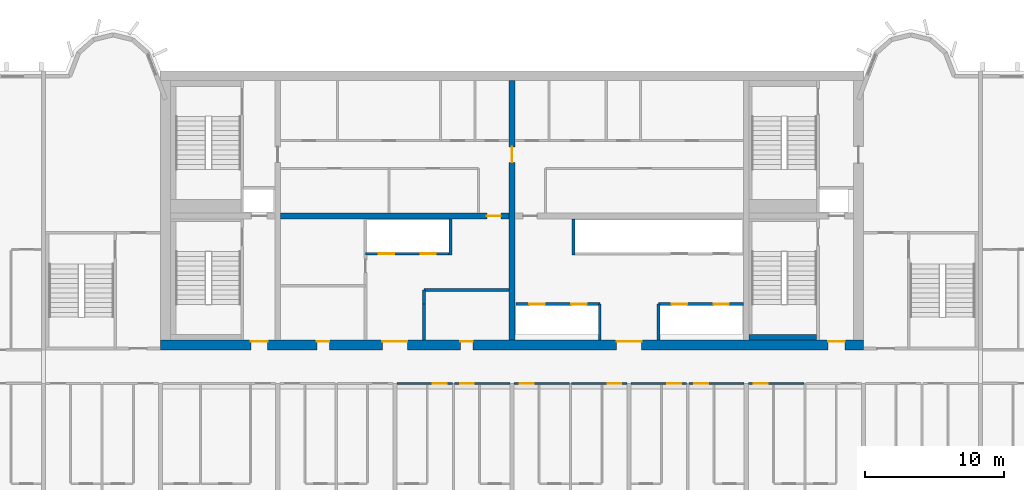
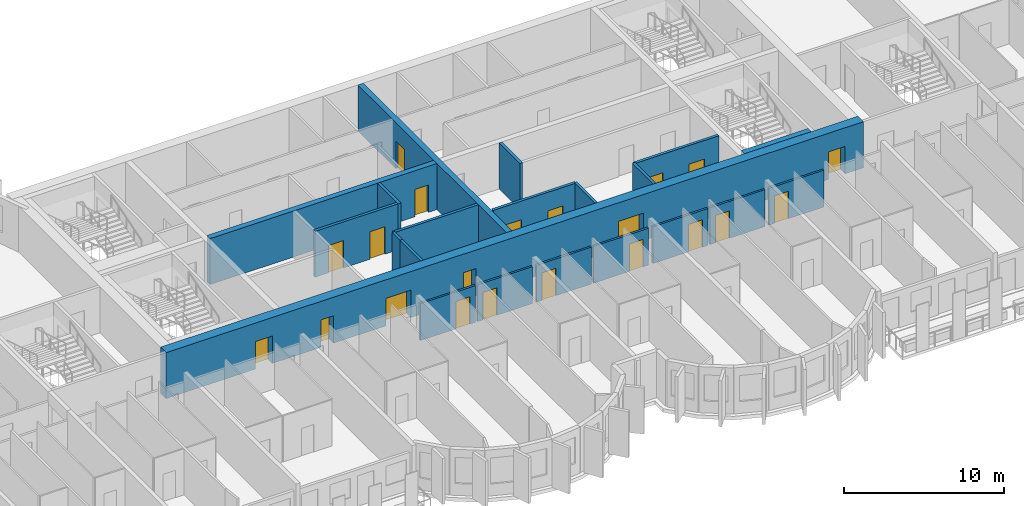
# One storey, part 6 of 13: 21 doors, 21 walls, 21 openings.
"""IFC4 building model written with IfcOpenShell, lengths in metres."""

import ifcopenshell
import ifcopenshell.guid

model = None  # the IFC model being written
_history = None  # IfcOwnerHistory: only IFC2X3 demands one
_inside = {}  # id of a spatial element -> (the spatial element, [elements in it])
_under = {}  # id of a project, library or spatial element -> (it, [spatial elements below it])
_declared = {}  # id of a project -> (the project, [libraries it declares])
_typed = {}  # id of a type object -> (the type object, [elements of that type])
_made_of = {}  # id of a material, layer set ... -> (it, [elements and type objects made of it])


def new_model(schema):
    """Start an empty IFC model of exactly this schema.

    Asked for "IFC4X3", IfcOpenShell would pick the latest addendum, in which some entities
    have other attributes; the version numbers below select the first issue.
    IFC2X3 requires an IfcOwnerHistory on every rooted entity: one is made here for all.
    """
    global model, _history
    if schema == "IFC4X3":
        model = ifcopenshell.file(schema_version=(4, 3, 0, 0))
    else:
        model = ifcopenshell.file(schema=schema)
    _inside.clear()
    _under.clear()
    _declared.clear()
    _typed.clear()
    _made_of.clear()
    _history = None
    if model.schema == "IFC2X3":
        org = make("IfcOrganization", Name="unknown")
        user = make(
            "IfcPersonAndOrganization",
            ThePerson=make("IfcPerson", FamilyName="unknown"),
            TheOrganization=org,
        )
        app = make(
            "IfcApplication",
            ApplicationDeveloper=org,
            Version="unknown",
            ApplicationFullName="unknown",
            ApplicationIdentifier="unknown",
        )
        _history = make(
            "IfcOwnerHistory",
            OwningUser=user,
            OwningApplication=app,
            ChangeAction="ADDED",
            CreationDate=0,
        )
    return model


def make(cls, **values):
    """One entity of the class cls with the attributes given. An attribute that is None is left unset."""
    return model.create_entity(
        cls, **{name: value for name, value in values.items() if value is not None}
    )


def rooted(cls, **values):
    """An entity with a GlobalId (a new one), such as an element, a storey or a relation."""
    return make(cls, GlobalId=ifcopenshell.guid.new(), OwnerHistory=_history, **values)


def si_unit(unit_type, name, prefix=None):
    """IfcSIUnit, for example si_unit("LENGTHUNIT", "METRE", prefix="MILLI")."""
    return make("IfcSIUnit", UnitType=unit_type, Prefix=prefix, Name=name)


def assignment(units):
    """IfcUnitAssignment: the units of a project."""
    return None if units is None else make("IfcUnitAssignment", Units=units)


def point(xyz):
    """IfcCartesianPoint."""
    return None if xyz is None else make("IfcCartesianPoint", Coordinates=xyz)


def direction(xyz):
    """IfcDirection."""
    return None if xyz is None else make("IfcDirection", DirectionRatios=xyz)


def frame(location, z_axis=None, x_axis=None):
    """IfcAxis2Placement3D, a coordinate frame: its origin and axes. An axis left out is left unset."""
    return make(
        "IfcAxis2Placement3D",
        Location=point(location),
        Axis=direction(z_axis),
        RefDirection=direction(x_axis),
    )


def frame_2d(location, x_axis=None):
    """IfcAxis2Placement2D, a coordinate frame in the plane: its origin and x axis."""
    return make(
        "IfcAxis2Placement2D", Location=point(location), RefDirection=direction(x_axis)
    )


def origin():
    """The frame at (0, 0, 0) with its axes left unset."""
    return frame((0.0, 0.0, 0.0))


def place(relative_to, where):
    """IfcLocalPlacement: puts the frame where relative to a parent placement (None: the world)."""
    return make(
        "IfcLocalPlacement", PlacementRelTo=relative_to, RelativePlacement=where
    )


def context(
    kind, dimensions, precision=None, world=None, true_north=None, identifier=None
):
    """IfcGeometricRepresentationContext, for example the 3D "Model" context."""
    return make(
        "IfcGeometricRepresentationContext",
        ContextIdentifier=identifier,
        ContextType=kind,
        CoordinateSpaceDimension=dimensions,
        Precision=precision,
        WorldCoordinateSystem=world,
        TrueNorth=true_north,
    )


def subcontext(parent, identifier, kind, view, scale=None):
    """IfcGeometricRepresentationSubContext, for example "Body" below "Model"."""
    return make(
        "IfcGeometricRepresentationSubContext",
        ContextIdentifier=identifier,
        ContextType=kind,
        ParentContext=parent,
        TargetScale=scale,
        TargetView=view,
    )


def project(units=None, contexts=None):
    """IfcProject with its units and contexts."""
    return rooted(
        "IfcProject",
        Name="project",
        RepresentationContexts=contexts,
        UnitsInContext=assignment(units),
    )


def spatial(cls, under=None, at=None, **own):
    """A site, building, storey or space (cls), placed at a placement, below another one or the project."""
    s = rooted(cls, ObjectPlacement=at, **own)
    if under is not None:
        _under.setdefault(under.id(), (under, []))[1].append(s)
    return s


def profile(cls, at=None, kind="AREA", **sizes):
    """A parametric profile (cls). Its sizes go by their IFC names, for example OverallWidth=200.0."""
    return make(cls, ProfileType=kind, Position=at, **sizes)


def rectangle(**sizes):
    """IfcRectangleProfileDef."""
    return profile("IfcRectangleProfileDef", **sizes)


def extrude(swept, where, along, depth):
    """IfcExtrudedAreaSolid: the profile swept, set in the frame where, extruded along a direction by depth."""
    return make(
        "IfcExtrudedAreaSolid",
        SweptArea=swept,
        Position=where,
        ExtrudedDirection=direction(along),
        Depth=depth,
    )


def shape(context_of_items, identifier, shape_type, items):
    """IfcShapeRepresentation: the items that make up one representation, for example the "Body"."""
    return make(
        "IfcShapeRepresentation",
        ContextOfItems=context_of_items,
        RepresentationIdentifier=identifier,
        RepresentationType=shape_type,
        Items=items,
    )


def source(mapping_origin, context_of_items, identifier, shape_type, items):
    """IfcRepresentationMap: a shape defined once, which mapped items show again and again."""
    return make(
        "IfcRepresentationMap",
        MappingOrigin=mapping_origin,
        MappedRepresentation=shape(context_of_items, identifier, shape_type, items),
    )


def transform(
    local_origin,
    x_axis=None,
    y_axis=None,
    z_axis=None,
    scale=None,
    scale2=None,
    scale3=None,
    uniform=True,
):
    """IfcCartesianTransformationOperator3D, or its non-uniform kind. x_axis, y_axis, z_axis: its Axis1, 2, 3."""
    if uniform:
        return make(
            "IfcCartesianTransformationOperator3D",
            Axis1=direction(x_axis),
            Axis2=direction(y_axis),
            LocalOrigin=point(local_origin),
            Scale=scale,
            Axis3=direction(z_axis),
        )
    return make(
        "IfcCartesianTransformationOperator3DnonUniform",
        Axis1=direction(x_axis),
        Axis2=direction(y_axis),
        LocalOrigin=point(local_origin),
        Scale=scale,
        Axis3=direction(z_axis),
        Scale2=scale2,
        Scale3=scale3,
    )


def mapped(mapping_source, mapping_target):
    """IfcMappedItem: shows the shape of a source again, moved by a transform."""
    return make(
        "IfcMappedItem", MappingSource=mapping_source, MappingTarget=mapping_target
    )


def material(Name=None, Category=None):
    """IfcMaterial."""
    return make("IfcMaterial", Name=Name, Category=Category)


def layer(
    of_material, thickness, ventilated=None, Name=None, Category=None, Priority=None
):
    """IfcMaterialLayer: one layer of a wall or slab, of a material (None: an air gap)."""
    return make(
        "IfcMaterialLayer",
        Material=of_material,
        LayerThickness=thickness,
        IsVentilated=ventilated,
        Name=Name,
        Category=Category,
        Priority=Priority,
    )


def layer_set(layers, Name=None):
    """IfcMaterialLayerSet."""
    return make("IfcMaterialLayerSet", MaterialLayers=layers, LayerSetName=Name)


def made_of(thing, what):
    """Note that an element or type object is made of a material, layer set ...; save() writes the relation."""
    if what is not None:
        _made_of.setdefault(what.id(), (what, []))[1].append(thing)
    return thing


def type_object(cls, material=None, **own):
    """A type object (cls), such as IfcWallType, which elements share."""
    return made_of(rooted(cls, **own), material)


def element(
    cls,
    number,
    at=None,
    inside=None,
    cuts=None,
    type_object=None,
    material=None,
    context=None,
    identifier="Body",
    shape_type=None,
    held_by="IfcProductDefinitionShape",
    body=None,
    shapes=None,
    **own,
):
    """One element of the class cls, such as IfcWall. Its Tag is "e" and its number.

    at: its placement. inside: the storey or other place that contains it. cuts: it is an
    opening in that element (IfcRelVoidsElement). A single representation is given by context,
    identifier, shape_type and body (its items); several are given by shapes. held_by: the class
    of the entity that holds the representations. save() writes the other relations.
    """
    e = rooted(cls, Tag="e%d" % number, ObjectPlacement=at, **own)
    if body is not None:
        shapes = [shape(context, identifier, shape_type, body)]
    if shapes is not None:
        e.Representation = make(held_by, Representations=shapes)
    if inside is not None:
        _inside.setdefault(inside.id(), (inside, []))[1].append(e)
    if cuts is not None:
        rooted(
            "IfcRelVoidsElement", RelatingBuildingElement=cuts, RelatedOpeningElement=e
        )
    if type_object is not None:
        _typed.setdefault(type_object.id(), (type_object, []))[1].append(e)
    return made_of(e, material)


def fill(opening, filler):
    """IfcRelFillsElement: the door or window that sits in an opening."""
    return rooted(
        "IfcRelFillsElement",
        RelatingOpeningElement=opening,
        RelatedBuildingElement=filler,
    )


def aggregate(whole, parts):
    """IfcRelAggregates: a whole, such as a stair, and the parts it consists of."""
    return rooted("IfcRelAggregates", RelatingObject=whole, RelatedObjects=parts)


def save(model, path):
    """Write the relations noted so far, then the file.

    IfcRelAggregates (storeys below a building ...), IfcRelContainedInSpatialStructure (elements
    in a storey), IfcRelDefinesByType, IfcRelAssociatesMaterial and IfcRelDeclares: one each for
    every whole, place, type object, material and project.
    """
    for whole, parts in _under.values():
        aggregate(whole, parts)
    for where, things in _inside.values():
        rooted(
            "IfcRelContainedInSpatialStructure",
            RelatedElements=things,
            RelatingStructure=where,
        )
    for kind, things in _typed.values():
        rooted("IfcRelDefinesByType", RelatedObjects=things, RelatingType=kind)
    for what, things in _made_of.values():
        rooted("IfcRelAssociatesMaterial", RelatedObjects=things, RelatingMaterial=what)
    for by, libraries in _declared.values():
        rooted("IfcRelDeclares", RelatingContext=by, RelatedDefinitions=libraries)
    model.write(path)


model = new_model("IFC4")

# Units and contexts
model_context = context("Model", 3, precision=1e-05, world=origin(), true_north=direction((0.0, 1.0)))
body_context = subcontext(model_context, "Body", "Model", "MODEL_VIEW")
ifc_project = project(units=[si_unit("LENGTHUNIT", "METRE"), si_unit("AREAUNIT", "SQUARE_METRE"), si_unit("VOLUMEUNIT", "CUBIC_METRE"), si_unit("PLANEANGLEUNIT", "RADIAN"), si_unit("MASSUNIT", "GRAM", prefix="KILO")], contexts=[model_context])

# Site, building, storey
site_placement = place(None, origin())
site = spatial("IfcSite", under=ifc_project, at=site_placement, CompositionType="ELEMENT")
building_placement = place(site_placement, origin())
building = spatial("IfcBuilding", under=site, at=building_placement, Name="Vanashikhar Sky Hotel", CompositionType="ELEMENT")
storey_placement = place(building_placement, frame((0.0, 0.0, 182.0)))
storey = spatial("IfcBuildingStorey", under=building, at=storey_placement, Name="L44", CompositionType="ELEMENT", Elevation=182.0)

# Wall, opening, door
ifc_material_1 = material(Name="Concrete M60", Category="concrete")
ifc_layer_1 = layer(ifc_material_1, 0.39990234375)
ifc_layer_set_1 = layer_set([ifc_layer_1], Name="RC core inner wall 400 Concrete M60")
wall_type_1 = type_object("IfcWallType", Name="RC core inner wall 400 Concrete M60", PredefinedType="SHEAR", material=ifc_layer_set_1)
shared_shape_1 = source(origin(), body_context, "Body", "SweptSolid", [
    extrude(rectangle(XDim=18.60009765625, YDim=0.39990234375, at=frame_2d((9.300048828125, 0.0))), origin(), (0.0, 0.0, 1.0), 3.52001953125),
])
wall_1_placement = place(storey_placement, frame((50.39990234375, 22.699951171875, 0.0), z_axis=(0.0, 0.0, 1.0), x_axis=(0.0, 1.0, 0.0)))
wall_1 = element("IfcWall", 1, at=wall_1_placement, inside=storey, type_object=wall_type_1, Name="KW-L44-KX2", PredefinedType="SHEAR", context=body_context, shape_type="MappedRepresentation", body=[
    mapped(shared_shape_1, transform((0.0, 0.0, 0.0), scale=1.0)),
])
shared_shape_2 = source(origin(), body_context, "Body", "SweptSolid", [
    extrude(rectangle(XDim=1.10009765625, YDim=2.10009765625, at=frame_2d((0.550048828125, 1.050048828125))), frame((0.0, 0.2099609375, 0.0), z_axis=(0.0, -1.0, 0.0), x_axis=(1.0, 0.0, 0.0)), (0.0, 0.0, 1.0), 0.419921875),
])
opening_1_placement = place(wall_1_placement, frame((12.75, 0.0, 0.0)))
opening_1 = element("IfcOpeningElement", 2, at=opening_1_placement, cuts=wall_1, Name="Opening DC-4-C", PredefinedType="OPENING", context=body_context, shape_type="MappedRepresentation", body=[
    mapped(shared_shape_2, transform((0.0, 0.0, 0.0), scale=1.0)),
])
ifc_material_2 = material(Name="Steel", Category="steel")
door_type_1 = type_object("IfcDoorType", Name="Service door 1100 FD60", OperationType="NOTDEFINED", PredefinedType="DOOR", material=ifc_material_2)
shared_shape_3 = source(origin(), body_context, "Body", "SweptSolid", [
    extrude(rectangle(XDim=1.10009765625, YDim=2.10009765625, at=frame_2d((0.550048828125, 1.050048828125))), frame((0.0, 0.02490234375, 0.0), z_axis=(0.0, -1.0, 0.0), x_axis=(1.0, 0.0, 0.0)), (0.0, 0.0, 1.0), 0.050048828125),
])
door_1_placement = place(opening_1_placement, origin())
door_1 = element("IfcDoor", 3, at=door_1_placement, inside=storey, type_object=door_type_1, Name="Service door 1100 FD60", OperationType="SINGLE_SWING_LEFT", OverallHeight=2.10009765625, OverallWidth=1.10009765625, PredefinedType="DOOR", context=body_context, shape_type="MappedRepresentation", body=[
    mapped(shared_shape_3, transform((0.0, 0.0, 0.0), scale=1.0)),
])
fill(opening_1, door_1)

# Wall, openings, doors
ifc_layer_2 = layer(ifc_material_1, 0.699951171875)
ifc_layer_set_2 = layer_set([ifc_layer_2], Name="RC core shell wall 700 Concrete M60")
wall_type_2 = type_object("IfcWallType", Name="RC core shell wall 700 Concrete M60", PredefinedType="SHEAR", material=ifc_layer_set_2)
shared_shape_4 = source(origin(), body_context, "Body", "SweptSolid", [
    extrude(rectangle(XDim=50.400146484375, YDim=0.699951171875, at=frame_2d((25.2001953125, 0.0))), origin(), (0.0, 0.0, 1.0), 3.52001953125),
])
wall_2_placement = place(storey_placement, frame((25.199951171875, 22.35009765625, 0.0), z_axis=(0.0, 0.0, 1.0), x_axis=(1.0, 0.0, 0.0)))
wall_2 = element("IfcWall", 4, at=wall_2_placement, inside=storey, type_object=wall_type_2, Name="KW-L44-KS", PredefinedType="SHEAR", context=body_context, shape_type="MappedRepresentation", body=[
    mapped(shared_shape_4, transform((0.0, 0.0, 0.0), scale=1.0)),
])
shared_shape_5 = source(origin(), body_context, "Body", "SweptSolid", [
    extrude(rectangle(XDim=1.800048828125, YDim=2.10009765625, at=frame_2d((0.89990234375, 1.050048828125))), frame((0.0, 0.35986328125, 0.0), z_axis=(0.0, -1.0, 0.0), x_axis=(1.0, 0.0, 0.0)), (0.0, 0.0, 1.0), 0.719970703125),
])
opening_2_placement = place(wall_2_placement, frame((15.89990234375, 0.0, 0.0)))
opening_2 = element("IfcOpeningElement", 5, at=opening_2_placement, cuts=wall_2, Name="Opening DC-3-A", PredefinedType="OPENING", context=body_context, shape_type="MappedRepresentation", body=[
    mapped(shared_shape_5, transform((0.0, 0.0, 0.0), scale=1.0)),
])
shared_shape_6 = source(origin(), body_context, "Body", "SweptSolid", [
    extrude(rectangle(XDim=0.89990234375, YDim=2.10009765625, at=frame_2d((0.449951171875, 1.050048828125))), frame((0.0, 0.35986328125, 0.0), z_axis=(0.0, -1.0, 0.0), x_axis=(1.0, 0.0, 0.0)), (0.0, 0.0, 1.0), 0.719970703125),
])
opening_3_placement = place(wall_2_placement, frame((11.199951171875, 0.0, 0.0)))
opening_3 = element("IfcOpeningElement", 6, at=opening_3_placement, cuts=wall_2, Name="Opening DC-4-A", PredefinedType="OPENING", context=body_context, shape_type="MappedRepresentation", body=[
    mapped(shared_shape_6, transform((0.0, 0.0, 0.0), scale=1.0)),
])
opening_4_placement = place(wall_2_placement, frame((21.5, 0.0, 0.0)))
opening_4 = element("IfcOpeningElement", 7, at=opening_4_placement, cuts=wall_2, Name="Opening DC-4-A", PredefinedType="OPENING", context=body_context, shape_type="MappedRepresentation", body=[
    mapped(shared_shape_6, transform((0.0, 0.0, 0.0), scale=1.0)),
])
opening_5_placement = place(wall_2_placement, frame((32.699951171875, 0.0, 0.0)))
opening_5 = element("IfcOpeningElement", 8, at=opening_5_placement, cuts=wall_2, Name="Opening DC-3-A", PredefinedType="OPENING", context=body_context, shape_type="MappedRepresentation", body=[
    mapped(shared_shape_5, transform((0.0, 0.0, 0.0), scale=1.0)),
])
shared_shape_7 = source(origin(), body_context, "Body", "SweptSolid", [
    extrude(rectangle(XDim=1.199951171875, YDim=2.10009765625, at=frame_2d((0.60009765625, 1.050048828125))), frame((0.0, 0.35986328125, 0.0), z_axis=(0.0, -1.0, 0.0), x_axis=(1.0, 0.0, 0.0)), (0.0, 0.0, 1.0), 0.719970703125),
])
opening_6_placement = place(wall_2_placement, frame((6.47509765625, 0.0, 0.0)))
opening_6 = element("IfcOpeningElement", 9, at=opening_6_placement, cuts=wall_2, Name="Opening DC-2", PredefinedType="OPENING", context=body_context, shape_type="MappedRepresentation", body=[
    mapped(shared_shape_7, transform((0.0, 0.0, 0.0), scale=1.0)),
])
opening_7_placement = place(wall_2_placement, frame((47.875, 0.0, 0.0)))
opening_7 = element("IfcOpeningElement", 10, at=opening_7_placement, cuts=wall_2, Name="Opening DC-2", PredefinedType="OPENING", context=body_context, shape_type="MappedRepresentation", body=[
    mapped(shared_shape_7, transform((0.0, 0.0, 0.0), scale=1.0)),
])
ifc_material_3 = material(Name="Glass", Category="glass")
door_type_2 = type_object("IfcDoorType", Name="Lift lobby entrance door 1800 FD30S", OperationType="NOTDEFINED", PredefinedType="DOOR", material=ifc_material_3)
shared_shape_8 = source(origin(), body_context, "Body", "SweptSolid", [
    extrude(rectangle(XDim=1.800048828125, YDim=2.10009765625, at=frame_2d((0.89990234375, 1.050048828125))), frame((0.0, 0.27490234375, 0.0), z_axis=(0.0, -1.0, 0.0), x_axis=(1.0, 0.0, 0.0)), (0.0, 0.0, 1.0), 0.050048828125),
])
door_2_placement = place(opening_2_placement, origin())
door_2 = element("IfcDoor", 11, at=door_2_placement, inside=storey, type_object=door_type_2, Name="Lift lobby entrance door 1800 FD30S", OperationType="DOUBLE_DOOR_SINGLE_SWING", OverallHeight=2.10009765625, OverallWidth=1.800048828125, PredefinedType="DOOR", context=body_context, shape_type="MappedRepresentation", body=[
    mapped(shared_shape_8, transform((0.0, 0.0, 0.0), scale=1.0)),
])
fill(opening_2, door_2)
door_3_placement = place(opening_5_placement, origin())
door_3 = element("IfcDoor", 12, at=door_3_placement, inside=storey, type_object=door_type_2, Name="Lift lobby entrance door 1800 FD30S", OperationType="DOUBLE_DOOR_SINGLE_SWING", OverallHeight=2.10009765625, OverallWidth=1.800048828125, PredefinedType="DOOR", context=body_context, shape_type="MappedRepresentation", body=[
    mapped(shared_shape_8, transform((0.0, 0.0, 0.0), scale=1.0)),
])
fill(opening_5, door_3)
door_type_3 = type_object("IfcDoorType", Name="Firefighting lobby door 1200 FD120", OperationType="NOTDEFINED", PredefinedType="DOOR", material=ifc_material_2)
shared_shape_9 = source(origin(), body_context, "Body", "SweptSolid", [
    extrude(rectangle(XDim=1.199951171875, YDim=2.10009765625, at=frame_2d((0.60009765625, 1.050048828125))), frame((0.0, 0.27490234375, 0.0), z_axis=(0.0, -1.0, 0.0), x_axis=(1.0, 0.0, 0.0)), (0.0, 0.0, 1.0), 0.050048828125),
])
door_4_placement = place(opening_6_placement, origin())
door_4 = element("IfcDoor", 13, at=door_4_placement, inside=storey, type_object=door_type_3, Name="Firefighting lobby door 1200 FD120", OperationType="SINGLE_SWING_LEFT", OverallHeight=2.10009765625, OverallWidth=1.199951171875, PredefinedType="DOOR", context=body_context, shape_type="MappedRepresentation", body=[
    mapped(shared_shape_9, transform((0.0, 0.0, 0.0), scale=1.0)),
])
fill(opening_6, door_4)
door_5_placement = place(opening_7_placement, origin())
door_5 = element("IfcDoor", 14, at=door_5_placement, inside=storey, type_object=door_type_3, Name="Firefighting lobby door 1200 FD120", OperationType="SINGLE_SWING_LEFT", OverallHeight=2.10009765625, OverallWidth=1.199951171875, PredefinedType="DOOR", context=body_context, shape_type="MappedRepresentation", body=[
    mapped(shared_shape_9, transform((0.0, 0.0, 0.0), scale=1.0)),
])
fill(opening_7, door_5)
door_type_4 = type_object("IfcDoorType", Name="Service door 900 FD60", OperationType="NOTDEFINED", PredefinedType="DOOR", material=ifc_material_2)
shared_shape_10 = source(origin(), body_context, "Body", "SweptSolid", [
    extrude(rectangle(XDim=0.89990234375, YDim=2.10009765625, at=frame_2d((0.449951171875, 1.050048828125))), frame((0.0, 0.27490234375, 0.0), z_axis=(0.0, -1.0, 0.0), x_axis=(1.0, 0.0, 0.0)), (0.0, 0.0, 1.0), 0.050048828125),
])
door_6_placement = place(opening_3_placement, origin())
door_6 = element("IfcDoor", 15, at=door_6_placement, inside=storey, type_object=door_type_4, Name="Service door 900 FD60", OperationType="SINGLE_SWING_LEFT", OverallHeight=2.10009765625, OverallWidth=0.89990234375, PredefinedType="DOOR", context=body_context, shape_type="MappedRepresentation", body=[
    mapped(shared_shape_10, transform((0.0, 0.0, 0.0), scale=1.0)),
])
fill(opening_3, door_6)
door_7_placement = place(opening_4_placement, origin())
door_7 = element("IfcDoor", 16, at=door_7_placement, inside=storey, type_object=door_type_4, Name="Service door 900 FD60", OperationType="SINGLE_SWING_LEFT", OverallHeight=2.10009765625, OverallWidth=0.89990234375, PredefinedType="DOOR", context=body_context, shape_type="MappedRepresentation", body=[
    mapped(shared_shape_10, transform((0.0, 0.0, 0.0), scale=1.0)),
])
fill(opening_4, door_7)

# Wall, opening, door
shared_shape_11 = source(origin(), body_context, "Body", "SweptSolid", [
    extrude(rectangle(XDim=16.39990234375, YDim=0.39990234375, at=frame_2d((8.199951171875, 0.0))), origin(), (0.0, 0.0, 1.0), 3.52001953125),
])
wall_3_placement = place(storey_placement, frame((33.800048828125, 31.60009765625, 0.0), z_axis=(0.0, 0.0, 1.0), x_axis=(1.0, 0.0, 0.0)))
wall_3 = element("IfcWall", 17, at=wall_3_placement, inside=storey, type_object=wall_type_1, Name="KW-L44-KY2", PredefinedType="SHEAR", context=body_context, shape_type="MappedRepresentation", body=[
    mapped(shared_shape_11, transform((0.0, 0.0, 0.0), scale=1.0)),
])
shared_shape_12 = source(origin(), body_context, "Body", "SweptSolid", [
    extrude(rectangle(XDim=1.0, YDim=2.10009765625, at=frame_2d((0.5, 1.050048828125))), frame((0.0, 0.2099609375, 0.0), z_axis=(0.0, -1.0, 0.0), x_axis=(1.0, 0.0, 0.0)), (0.0, 0.0, 1.0), 0.419921875),
])
opening_8_placement = place(wall_3_placement, frame((14.800048828125, 0.0, 0.0)))
opening_8 = element("IfcOpeningElement", 18, at=opening_8_placement, cuts=wall_3, Name="Opening DC-4", PredefinedType="OPENING", context=body_context, shape_type="MappedRepresentation", body=[
    mapped(shared_shape_12, transform((0.0, 0.0, 0.0), scale=1.0)),
])
door_type_5 = type_object("IfcDoorType", Name="Service door 1000 FD60", OperationType="NOTDEFINED", PredefinedType="DOOR", material=ifc_material_2)
shared_shape_13 = source(origin(), body_context, "Body", "SweptSolid", [
    extrude(rectangle(XDim=1.0, YDim=2.10009765625, at=frame_2d((0.5, 1.050048828125))), frame((0.0, 0.02490234375, 0.0), z_axis=(0.0, -1.0, 0.0), x_axis=(1.0, 0.0, 0.0)), (0.0, 0.0, 1.0), 0.050048828125),
])
door_8_placement = place(opening_8_placement, origin())
door_8 = element("IfcDoor", 19, at=door_8_placement, inside=storey, type_object=door_type_5, Name="Service door 1000 FD60", OperationType="SINGLE_SWING_LEFT", OverallHeight=2.10009765625, OverallWidth=1.0, PredefinedType="DOOR", context=body_context, shape_type="MappedRepresentation", body=[
    mapped(shared_shape_13, transform((0.0, 0.0, 0.0), scale=1.0)),
])
fill(opening_8, door_8)

# Wall, openings, doors
ifc_material_4 = material(Name="Concrete M40", Category="concrete")
ifc_layer_3 = layer(ifc_material_4, 0.199951171875)
ifc_layer_set_3 = layer_set([ifc_layer_3], Name="Shaft wall 200")
wall_type_3 = type_object("IfcWallType", Name="Shaft wall 200", PredefinedType="SOLIDWALL", material=ifc_layer_set_3)
shared_shape_14 = source(origin(), body_context, "Body", "SweptSolid", [
    extrude(rectangle(XDim=6.0, YDim=0.199951171875, at=frame_2d((3.0, 0.0))), origin(), (0.0, 0.0, 1.0), 3.52001953125),
])
wall_4_placement = place(storey_placement, frame((39.89990234375, 28.89990234375, 0.0), z_axis=(0.0, 0.0, 1.0), x_axis=(1.0, 0.0, 0.0)))
wall_4 = element("IfcWall", 20, at=wall_4_placement, inside=storey, type_object=wall_type_3, Name="Shaft wall 200", PredefinedType="SOLIDWALL", context=body_context, shape_type="MappedRepresentation", body=[
    mapped(shared_shape_14, transform((0.0, 0.0, 0.0), scale=1.0)),
])
shared_shape_15 = source(origin(), body_context, "Body", "SweptSolid", [
    extrude(rectangle(XDim=1.10009765625, YDim=2.10009765625, at=frame_2d((0.550048828125, 1.050048828125))), frame((0.0, 0.10986328125, 0.0), z_axis=(0.0, -1.0, 0.0), x_axis=(1.0, 0.0, 0.0)), (0.0, 0.0, 1.0), 0.219970703125),
])
opening_9_placement = place(wall_4_placement, frame((0.949951171875, 0.0, 0.0)))
opening_9 = element("IfcOpeningElement", 21, at=opening_9_placement, cuts=wall_4, Name="Opening LD", PredefinedType="OPENING", context=body_context, shape_type="MappedRepresentation", body=[
    mapped(shared_shape_15, transform((0.0, 0.0, 0.0), scale=1.0)),
])
opening_10_placement = place(wall_4_placement, frame((3.949951171875, 0.0, 0.0)))
opening_10 = element("IfcOpeningElement", 22, at=opening_10_placement, cuts=wall_4, Name="Opening LD", PredefinedType="OPENING", context=body_context, shape_type="MappedRepresentation", body=[
    mapped(shared_shape_15, transform((0.0, 0.0, 0.0), scale=1.0)),
])
ifc_material_5 = material(Name="Stainless steel", Category="steel")
door_type_6 = type_object("IfcDoorType", Name="Lift landing door 1100", OperationType="NOTDEFINED", PredefinedType="DOOR", material=ifc_material_5)
door_9_placement = place(opening_9_placement, origin())
door_9 = element("IfcDoor", 23, at=door_9_placement, inside=storey, type_object=door_type_6, Name="Lift landing door 1100", OperationType="SLIDING_TO_LEFT", OverallHeight=2.10009765625, OverallWidth=1.10009765625, PredefinedType="DOOR", context=body_context, shape_type="MappedRepresentation", body=[
    mapped(shared_shape_3, transform((0.0, 0.0, 0.0), scale=1.0)),
])
fill(opening_9, door_9)
door_10_placement = place(opening_10_placement, origin())
door_10 = element("IfcDoor", 24, at=door_10_placement, inside=storey, type_object=door_type_6, Name="Lift landing door 1100", OperationType="SLIDING_TO_RIGHT", OverallHeight=2.10009765625, OverallWidth=1.10009765625, PredefinedType="DOOR", context=body_context, shape_type="MappedRepresentation", body=[
    mapped(shared_shape_3, transform((0.0, 0.0, 0.0), scale=1.0)),
])
fill(opening_10, door_10)

wall_5_placement = place(storey_placement, frame((56.699951171875, 25.300048828125, 0.0), z_axis=(0.0, 0.0, 1.0), x_axis=(-1.0, 0.0, 0.0)))
wall_5 = element("IfcWall", 25, at=wall_5_placement, inside=storey, type_object=wall_type_3, Name="Shaft wall 200", PredefinedType="SOLIDWALL", context=body_context, shape_type="MappedRepresentation", body=[
    mapped(shared_shape_14, transform((0.0, 0.0, 0.0), scale=1.0)),
])
opening_11_placement = place(wall_5_placement, frame((0.949951171875, 0.0, 0.0)))
opening_11 = element("IfcOpeningElement", 26, at=opening_11_placement, cuts=wall_5, Name="Opening LD", PredefinedType="OPENING", context=body_context, shape_type="MappedRepresentation", body=[
    mapped(shared_shape_15, transform((0.0, 0.0, 0.0), scale=1.0)),
])
opening_12_placement = place(wall_5_placement, frame((3.949951171875, 0.0, 0.0)))
opening_12 = element("IfcOpeningElement", 27, at=opening_12_placement, cuts=wall_5, Name="Opening LD", PredefinedType="OPENING", context=body_context, shape_type="MappedRepresentation", body=[
    mapped(shared_shape_15, transform((0.0, 0.0, 0.0), scale=1.0)),
])
door_11_placement = place(opening_11_placement, origin())
door_11 = element("IfcDoor", 28, at=door_11_placement, inside=storey, type_object=door_type_6, Name="Lift landing door 1100", OperationType="SLIDING_TO_RIGHT", OverallHeight=2.10009765625, OverallWidth=1.10009765625, PredefinedType="DOOR", context=body_context, shape_type="MappedRepresentation", body=[
    mapped(shared_shape_3, transform((0.0, 0.0, 0.0), scale=1.0)),
])
fill(opening_11, door_11)
door_12_placement = place(opening_12_placement, origin())
door_12 = element("IfcDoor", 29, at=door_12_placement, inside=storey, type_object=door_type_6, Name="Lift landing door 1100", OperationType="SLIDING_TO_LEFT", OverallHeight=2.10009765625, OverallWidth=1.10009765625, PredefinedType="DOOR", context=body_context, shape_type="MappedRepresentation", body=[
    mapped(shared_shape_3, transform((0.0, 0.0, 0.0), scale=1.0)),
])
fill(opening_12, door_12)

# Walls
ifc_material_6 = material(Name="Gypsum board partition")
ifc_layer_4 = layer(ifc_material_6, 0.14990234375)
ifc_layer_set_4 = layer_set([ifc_layer_4], Name="Service partition 150")
wall_type_4 = type_object("IfcWallType", Name="Service partition 150", PredefinedType="PARTITIONING", material=ifc_layer_set_4)
shared_shape_16 = source(origin(), body_context, "Body", "SweptSolid", [
    extrude(rectangle(XDim=2.60009765625, YDim=0.199951171875, at=frame_2d((1.300048828125, 0.0))), origin(), (0.0, 0.0, 1.0), 3.52001953125),
])
wall_6_placement = place(storey_placement, frame((44.10009765625, 22.699951171875, 0.0), z_axis=(0.0, 0.0, 1.0), x_axis=(0.0, 1.0, 0.0)))
element("IfcWall", 30, at=wall_6_placement, inside=storey, type_object=wall_type_4, Name="Service partition 150", PredefinedType="PARTITIONING", context=body_context, shape_type="MappedRepresentation", body=[
    mapped(shared_shape_16, transform((0.0, 0.0, 0.0), scale=1.0)),
])
for number, where, z_axis, x_axis, name in (
    (31, (60.89990234375, 22.699951171875, 0.0), (0.0, 0.0, 1.0), (0.0, 1.0, 0.0), "Shaft wall 200"),
    (32, (56.699951171875, 22.699951171875, 0.0), (0.0, 0.0, 1.0), (0.0, 1.0, 0.0), "Shaft wall 200"),
):
    element("IfcWall", number, at=place(storey_placement, frame(where, z_axis=z_axis, x_axis=x_axis)), inside=storey, type_object=wall_type_3, Name=name, PredefinedType="SOLIDWALL", context=body_context, shape_type="MappedRepresentation", body=[
        mapped(shared_shape_16, transform((0.0, 0.0, 0.0), scale=1.0)),
    ])
shared_shape_17 = source(origin(), body_context, "Body", "SweptSolid", [
    extrude(rectangle(XDim=2.599853515625, YDim=0.199951171875, at=frame_2d((1.2998046875, 0.0))), origin(), (0.0, 0.0, 1.0), 3.52001953125),
])
for number, where, z_axis, x_axis, name in (
    (33, (46.0, 28.800048828125, 0.0), (0.0, 0.0, 1.0), (0.0, 1.0, 0.0), "Shaft wall 200"),
    (34, (54.800048828125, 28.800048828125, 0.0), (0.0, 0.0, 1.0), (0.0, 1.0, 0.0), "Shaft wall 200"),
):
    element("IfcWall", number, at=place(storey_placement, frame(where, z_axis=z_axis, x_axis=x_axis)), inside=storey, type_object=wall_type_3, Name=name, PredefinedType="SOLIDWALL", context=body_context, shape_type="MappedRepresentation", body=[
        mapped(shared_shape_17, transform((0.0, 0.0, 0.0), scale=1.0)),
    ])
shared_shape_18 = source(origin(), body_context, "Body", "SweptSolid", [
    extrude(rectangle(XDim=6.099853515625, YDim=0.199951171875, at=frame_2d((3.0498046875, 0.0))), origin(), (0.0, 0.0, 1.0), 3.52001953125),
])
wall_7_placement = place(storey_placement, frame((44.10009765625, 26.300048828125, 0.0), z_axis=(0.0, 0.0, 1.0), x_axis=(1.0, 0.0, 0.0)))
element("IfcWall", 35, at=wall_7_placement, inside=storey, type_object=wall_type_4, Name="Service partition 150", PredefinedType="PARTITIONING", context=body_context, shape_type="MappedRepresentation", body=[
    mapped(shared_shape_18, transform((0.0, 0.0, 0.0), scale=1.0)),
])
shared_shape_19 = source(origin(), body_context, "Body", "SweptSolid", [
    extrude(rectangle(XDim=1.0, YDim=0.199951171875, at=frame_2d((0.5, 0.0))), origin(), (0.0, 0.0, 1.0), 3.52001953125),
])
wall_8_placement = place(storey_placement, frame((44.10009765625, 25.300048828125, 0.0), z_axis=(0.0, 0.0, 1.0), x_axis=(0.0, 1.0, 0.0)))
element("IfcWall", 36, at=wall_8_placement, inside=storey, type_object=wall_type_4, Name="Service partition 150", PredefinedType="PARTITIONING", context=body_context, shape_type="MappedRepresentation", body=[
    mapped(shared_shape_19, transform((0.0, 0.0, 0.0), scale=1.0)),
])

# Wall, openings, doors
shared_shape_20 = source(origin(), body_context, "Body", "SweptSolid", [
    extrude(rectangle(XDim=6.10009765625, YDim=0.199951171875, at=frame_2d((3.050048828125, 0.0))), origin(), (0.0, 0.0, 1.0), 3.52001953125),
])
wall_9_placement = place(storey_placement, frame((67.0, 25.300048828125, 0.0), z_axis=(0.0, 0.0, 1.0), x_axis=(-1.0, 0.0, 0.0)))
wall_9 = element("IfcWall", 37, at=wall_9_placement, inside=storey, type_object=wall_type_3, Name="Shaft wall 200", PredefinedType="SOLIDWALL", context=body_context, shape_type="MappedRepresentation", body=[
    mapped(shared_shape_20, transform((0.0, 0.0, 0.0), scale=1.0)),
])
opening_13_placement = place(wall_9_placement, frame((1.050048828125, 0.0, 0.0)))
opening_13 = element("IfcOpeningElement", 38, at=opening_13_placement, cuts=wall_9, Name="Opening LD", PredefinedType="OPENING", context=body_context, shape_type="MappedRepresentation", body=[
    mapped(shared_shape_15, transform((0.0, 0.0, 0.0), scale=1.0)),
])
opening_14_placement = place(wall_9_placement, frame((4.050048828125, 0.0, 0.0)))
opening_14 = element("IfcOpeningElement", 39, at=opening_14_placement, cuts=wall_9, Name="Opening LD", PredefinedType="OPENING", context=body_context, shape_type="MappedRepresentation", body=[
    mapped(shared_shape_15, transform((0.0, 0.0, 0.0), scale=1.0)),
])
door_13_placement = place(opening_13_placement, origin())
door_13 = element("IfcDoor", 40, at=door_13_placement, inside=storey, type_object=door_type_6, Name="Lift landing door 1100", OperationType="SLIDING_TO_RIGHT", OverallHeight=2.10009765625, OverallWidth=1.10009765625, PredefinedType="DOOR", context=body_context, shape_type="MappedRepresentation", body=[
    mapped(shared_shape_3, transform((0.0, 0.0, 0.0), scale=1.0)),
])
fill(opening_13, door_13)
door_14_placement = place(opening_14_placement, origin())
door_14 = element("IfcDoor", 41, at=door_14_placement, inside=storey, type_object=door_type_6, Name="Lift landing door 1100", OperationType="SLIDING_TO_LEFT", OverallHeight=2.10009765625, OverallWidth=1.10009765625, PredefinedType="DOOR", context=body_context, shape_type="MappedRepresentation", body=[
    mapped(shared_shape_3, transform((0.0, 0.0, 0.0), scale=1.0)),
])
fill(opening_14, door_14)

# Wall
ifc_material_7 = material(Name="Concrete M50", Category="concrete")
ifc_layer_5 = layer(ifc_material_7, 0.39990234375)
ifc_layer_set_5 = layer_set([ifc_layer_5], Name="Stair infill wall 400")
wall_type_5 = type_object("IfcWallType", Name="Stair infill wall 400", PredefinedType="SOLIDWALL", material=ifc_layer_set_5)
shared_shape_21 = source(origin(), body_context, "Body", "SweptSolid", [
    extrude(rectangle(XDim=4.85009765625, YDim=0.39990234375, at=frame_2d((2.425048828125, 0.0))), origin(), (0.0, 0.0, 1.0), 3.52001953125),
])
wall_10_placement = place(storey_placement, frame((67.39990234375, 22.89990234375, 0.0), z_axis=(0.0, 0.0, 1.0), x_axis=(1.0, 0.0, 0.0)))
element("IfcWall", 42, at=wall_10_placement, inside=storey, type_object=wall_type_5, Name="Stair infill wall 400", PredefinedType="SOLIDWALL", context=body_context, shape_type="MappedRepresentation", body=[
    mapped(shared_shape_21, transform((0.0, 0.0, 0.0), scale=1.0)),
])

# Wall, opening, door
ifc_material_8 = material(Name="Gypsum plasterboard partition")
ifc_layer_6 = layer(ifc_material_8, 0.14990234375)
ifc_layer_set_6 = layer_set([ifc_layer_6], Name="Corridor and demising partition 150")
wall_type_6 = type_object("IfcWallType", Name="Corridor and demising partition 150", PredefinedType="PARTITIONING", material=ifc_layer_set_6)
shared_shape_22 = source(origin(), body_context, "Body", "SweptSolid", [
    extrude(rectangle(XDim=3.974853515625, YDim=0.14990234375, at=frame_2d((1.9873046875, 0.0))), origin(), (0.0, 0.0, 1.0), 2.820068359375),
])
wall_11_placement = place(storey_placement, frame((50.550048828125, 19.60009765625, 0.0), z_axis=(0.0, 0.0, 1.0), x_axis=(1.0, 0.0, 0.0)))
wall_11 = element("IfcWall", 43, at=wall_11_placement, inside=storey, type_object=wall_type_6, Name="W-L44-PW036", PredefinedType="PARTITIONING", context=body_context, shape_type="MappedRepresentation", body=[
    mapped(shared_shape_22, transform((0.0, 0.0, 0.0), scale=1.0)),
])
shared_shape_23 = source(origin(), body_context, "Body", "SweptSolid", [
    extrude(rectangle(XDim=1.0, YDim=2.10009765625, at=frame_2d((0.5, 1.050048828125))), frame((0.0, 0.0849609375, 0.0), z_axis=(0.0, -1.0, 0.0), x_axis=(1.0, 0.0, 0.0)), (0.0, 0.0, 1.0), 0.169921875),
])
opening_15_placement = place(wall_11_placement, frame((0.39990234375, 0.0, 0.0)))
opening_15 = element("IfcOpeningElement", 44, at=opening_15_placement, cuts=wall_11, Name="Opening D-01", PredefinedType="OPENING", context=body_context, shape_type="MappedRepresentation", body=[
    mapped(shared_shape_23, transform((0.0, 0.0, 0.0), scale=1.0)),
])
ifc_material_9 = material(Name="Timber fire door", Category="wood")
door_type_7 = type_object("IfcDoorType", Name="Guest entry door 1000 FD30S", OperationType="NOTDEFINED", PredefinedType="DOOR", material=ifc_material_9)
door_15_placement = place(opening_15_placement, origin())
door_15 = element("IfcDoor", 45, at=door_15_placement, inside=storey, type_object=door_type_7, Name="D-L44-021", OperationType="SINGLE_SWING_LEFT", OverallHeight=2.10009765625, OverallWidth=1.0, PredefinedType="DOOR", context=body_context, shape_type="MappedRepresentation", body=[
    mapped(shared_shape_13, transform((0.0, 0.0, 0.0), scale=1.0)),
])
fill(opening_15, door_15)

wall_12_placement = place(storey_placement, frame((54.675048828125, 19.60009765625, 0.0), z_axis=(0.0, 0.0, 1.0), x_axis=(1.0, 0.0, 0.0)))
wall_12 = element("IfcWall", 46, at=wall_12_placement, inside=storey, type_object=wall_type_6, Name="W-L44-PW039", PredefinedType="PARTITIONING", context=body_context, shape_type="MappedRepresentation", body=[
    mapped(shared_shape_22, transform((0.0, 0.0, 0.0), scale=1.0)),
])
opening_16_placement = place(wall_12_placement, frame((2.574951171875, 0.0, 0.0)))
opening_16 = element("IfcOpeningElement", 47, at=opening_16_placement, cuts=wall_12, Name="Opening D-01", PredefinedType="OPENING", context=body_context, shape_type="MappedRepresentation", body=[
    mapped(shared_shape_23, transform((0.0, 0.0, 0.0), scale=1.0)),
])
door_16_placement = place(opening_16_placement, origin())
door_16 = element("IfcDoor", 48, at=door_16_placement, inside=storey, type_object=door_type_7, Name="D-L44-023", OperationType="SINGLE_SWING_RIGHT", OverallHeight=2.10009765625, OverallWidth=1.0, PredefinedType="DOOR", context=body_context, shape_type="MappedRepresentation", body=[
    mapped(shared_shape_13, transform((0.0, 0.0, 0.0), scale=1.0)),
])
fill(opening_16, door_16)

wall_13_placement = place(storey_placement, frame((67.35009765625, 19.60009765625, 0.0), z_axis=(0.0, 0.0, 1.0), x_axis=(1.0, 0.0, 0.0)))
wall_13 = element("IfcWall", 49, at=wall_13_placement, inside=storey, type_object=wall_type_6, Name="W-L44-PW050", PredefinedType="PARTITIONING", context=body_context, shape_type="MappedRepresentation", body=[
    mapped(shared_shape_22, transform((0.0, 0.0, 0.0), scale=1.0)),
])
opening_17_placement = place(wall_13_placement, frame((0.39990234375, 0.0, 0.0)))
opening_17 = element("IfcOpeningElement", 50, at=opening_17_placement, cuts=wall_13, Name="Opening D-01", PredefinedType="OPENING", context=body_context, shape_type="MappedRepresentation", body=[
    mapped(shared_shape_23, transform((0.0, 0.0, 0.0), scale=1.0)),
])
door_17_placement = place(opening_17_placement, origin())
door_17 = element("IfcDoor", 51, at=door_17_placement, inside=storey, type_object=door_type_7, Name="D-L44-029", OperationType="SINGLE_SWING_LEFT", OverallHeight=2.10009765625, OverallWidth=1.0, PredefinedType="DOOR", context=body_context, shape_type="MappedRepresentation", body=[
    mapped(shared_shape_13, transform((0.0, 0.0, 0.0), scale=1.0)),
])
fill(opening_17, door_17)

shared_shape_24 = source(origin(), body_context, "Body", "SweptSolid", [
    extrude(rectangle(XDim=3.97509765625, YDim=0.14990234375, at=frame_2d((1.987548828125, 0.0))), origin(), (0.0, 0.0, 1.0), 2.820068359375),
])
wall_14_placement = place(storey_placement, frame((42.14990234375, 19.60009765625, 0.0), z_axis=(0.0, 0.0, 1.0), x_axis=(1.0, 0.0, 0.0)))
wall_14 = element("IfcWall", 52, at=wall_14_placement, inside=storey, type_object=wall_type_6, Name="W-L44-PW029", PredefinedType="PARTITIONING", context=body_context, shape_type="MappedRepresentation", body=[
    mapped(shared_shape_24, transform((0.0, 0.0, 0.0), scale=1.0)),
])
opening_18_placement = place(wall_14_placement, frame((2.574951171875, 0.0, 0.0)))
opening_18 = element("IfcOpeningElement", 53, at=opening_18_placement, cuts=wall_14, Name="Opening D-01", PredefinedType="OPENING", context=body_context, shape_type="MappedRepresentation", body=[
    mapped(shared_shape_23, transform((0.0, 0.0, 0.0), scale=1.0)),
])
door_18_placement = place(opening_18_placement, origin())
door_18 = element("IfcDoor", 54, at=door_18_placement, inside=storey, type_object=door_type_7, Name="D-L44-017", OperationType="SINGLE_SWING_RIGHT", OverallHeight=2.10009765625, OverallWidth=1.0, PredefinedType="DOOR", context=body_context, shape_type="MappedRepresentation", body=[
    mapped(shared_shape_13, transform((0.0, 0.0, 0.0), scale=1.0)),
])
fill(opening_18, door_18)

wall_15_placement = place(storey_placement, frame((46.27490234375, 19.60009765625, 0.0), z_axis=(0.0, 0.0, 1.0), x_axis=(1.0, 0.0, 0.0)))
wall_15 = element("IfcWall", 55, at=wall_15_placement, inside=storey, type_object=wall_type_6, Name="W-L44-PW032", PredefinedType="PARTITIONING", context=body_context, shape_type="MappedRepresentation", body=[
    mapped(shared_shape_24, transform((0.0, 0.0, 0.0), scale=1.0)),
])
opening_19_placement = place(wall_15_placement, frame((0.39990234375, 0.0, 0.0)))
opening_19 = element("IfcOpeningElement", 56, at=opening_19_placement, cuts=wall_15, Name="Opening D-01", PredefinedType="OPENING", context=body_context, shape_type="MappedRepresentation", body=[
    mapped(shared_shape_23, transform((0.0, 0.0, 0.0), scale=1.0)),
])
door_19_placement = place(opening_19_placement, origin())
door_19 = element("IfcDoor", 57, at=door_19_placement, inside=storey, type_object=door_type_7, Name="D-L44-019", OperationType="SINGLE_SWING_LEFT", OverallHeight=2.10009765625, OverallWidth=1.0, PredefinedType="DOOR", context=body_context, shape_type="MappedRepresentation", body=[
    mapped(shared_shape_13, transform((0.0, 0.0, 0.0), scale=1.0)),
])
fill(opening_19, door_19)

wall_16_placement = place(storey_placement, frame((58.949951171875, 19.60009765625, 0.0), z_axis=(0.0, 0.0, 1.0), x_axis=(1.0, 0.0, 0.0)))
wall_16 = element("IfcWall", 58, at=wall_16_placement, inside=storey, type_object=wall_type_6, Name="W-L44-PW043", PredefinedType="PARTITIONING", context=body_context, shape_type="MappedRepresentation", body=[
    mapped(shared_shape_24, transform((0.0, 0.0, 0.0), scale=1.0)),
])
opening_20_placement = place(wall_16_placement, frame((2.574951171875, 0.0, 0.0)))
opening_20 = element("IfcOpeningElement", 59, at=opening_20_placement, cuts=wall_16, Name="Opening D-01", PredefinedType="OPENING", context=body_context, shape_type="MappedRepresentation", body=[
    mapped(shared_shape_23, transform((0.0, 0.0, 0.0), scale=1.0)),
])
door_20_placement = place(opening_20_placement, origin())
door_20 = element("IfcDoor", 60, at=door_20_placement, inside=storey, type_object=door_type_7, Name="D-L44-025", OperationType="SINGLE_SWING_RIGHT", OverallHeight=2.10009765625, OverallWidth=1.0, PredefinedType="DOOR", context=body_context, shape_type="MappedRepresentation", body=[
    mapped(shared_shape_13, transform((0.0, 0.0, 0.0), scale=1.0)),
])
fill(opening_20, door_20)

wall_17_placement = place(storey_placement, frame((63.074951171875, 19.60009765625, 0.0), z_axis=(0.0, 0.0, 1.0), x_axis=(1.0, 0.0, 0.0)))
wall_17 = element("IfcWall", 61, at=wall_17_placement, inside=storey, type_object=wall_type_6, Name="W-L44-PW046", PredefinedType="PARTITIONING", context=body_context, shape_type="MappedRepresentation", body=[
    mapped(shared_shape_24, transform((0.0, 0.0, 0.0), scale=1.0)),
])
opening_21_placement = place(wall_17_placement, frame((0.39990234375, 0.0, 0.0)))
opening_21 = element("IfcOpeningElement", 62, at=opening_21_placement, cuts=wall_17, Name="Opening D-01", PredefinedType="OPENING", context=body_context, shape_type="MappedRepresentation", body=[
    mapped(shared_shape_23, transform((0.0, 0.0, 0.0), scale=1.0)),
])
door_21_placement = place(opening_21_placement, origin())
door_21 = element("IfcDoor", 63, at=door_21_placement, inside=storey, type_object=door_type_7, Name="D-L44-027", OperationType="SINGLE_SWING_LEFT", OverallHeight=2.10009765625, OverallWidth=1.0, PredefinedType="DOOR", context=body_context, shape_type="MappedRepresentation", body=[
    mapped(shared_shape_13, transform((0.0, 0.0, 0.0), scale=1.0)),
])
fill(opening_21, door_21)

save(model, "model.ifc")
